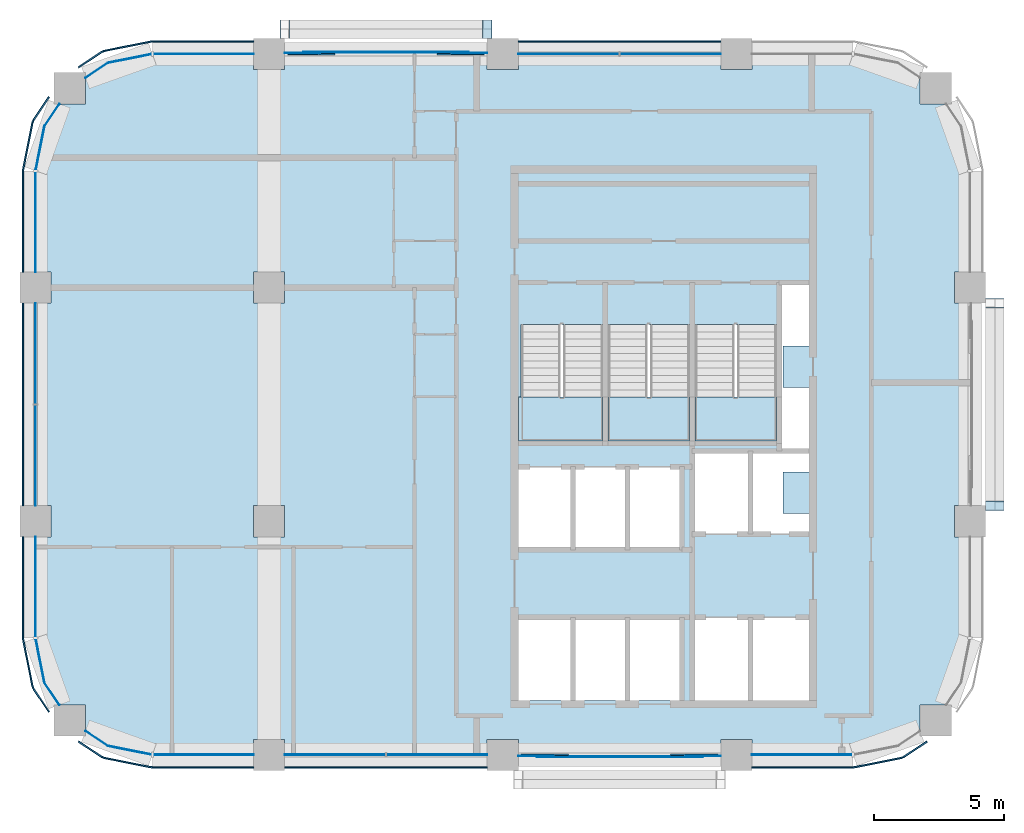
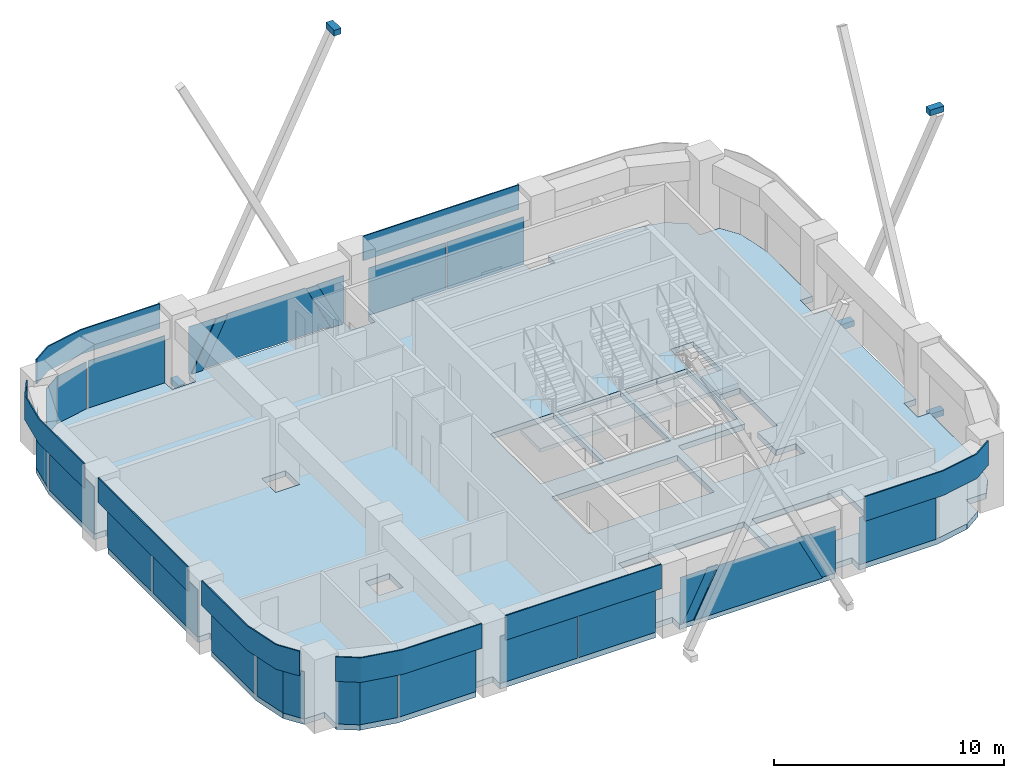
# One storey, part 5 of 10: 33 plates, 6 members, 4 slabs, 13 elements without a shape of their own.
"""IFC4 building model written with IfcOpenShell, lengths in metres."""

from ifc_helpers import new_model, si_unit, direction, frame, origin, origin_2d, place, context, subcontext, project, spatial, polyline, rectangle, outline, extrude, material, layer, layer_set, type_object, element, aggregate, save


model = new_model("IFC4")

# Units and contexts
model_context = context("Model", 3, precision=1e-05, world=origin(), true_north=direction((0.0, 1.0)))
body_context = subcontext(model_context, "Body", "Model", "MODEL_VIEW")
ifc_project = project(units=[si_unit("LENGTHUNIT", "METRE"), si_unit("AREAUNIT", "SQUARE_METRE"), si_unit("VOLUMEUNIT", "CUBIC_METRE"), si_unit("PLANEANGLEUNIT", "RADIAN"), si_unit("MASSUNIT", "GRAM", prefix="KILO")], contexts=[model_context])

# Site, building, storey
site_placement = place(None, origin())
site = spatial("IfcSite", under=ifc_project, at=site_placement, CompositionType="ELEMENT")
building_placement = place(site_placement, origin())
building = spatial("IfcBuilding", under=site, at=building_placement, Name="Tessera Arch", CompositionType="ELEMENT")
storey_placement = place(building_placement, frame((0.0, 0.0, 301.199951171875)))
storey = spatial("IfcBuildingStorey", under=building, at=storey_placement, Name="L72", CompositionType="ELEMENT", Elevation=301.199951171875)

# Members
ifc_material_1 = material(Name="Steel A572 Gr50", Category="steel")
ifc_layer_1 = layer(ifc_material_1, 0.050048828125)
ifc_layer_set_1 = layer_set([ifc_layer_1], Name="Node block Steel A572 Gr50")
member_type = type_object("IfcMemberType", Name="Node block Steel A572 Gr50", PredefinedType="PLATE", material=ifc_layer_set_1)
for number, where, z_axis, x_axis, name in (
    (1, (54.95556640625, 44.39990234375, -1.20166015625), (0.0, 0.0, 1.0), (0.0, 1.0, 0.0), "Node block seat E54.27-0 1 L72"),
    (2, (54.95556640625, 36.60009765625, -1.20166015625), (0.0, 0.0, 1.0), (0.0, 1.0, 0.0), "Node block seat E54.27-0 2 L72"),
    (3, (54.95556640625, 36.60009765625, 14.90185546875), (0.0, 0.0, 1.0), (0.0, 1.0, 0.0), "Node block head E54.27-0 B L72"),
    (4, (27.60009765625, 54.95556640625, -1.20166015625), (0.0, 0.0, 1.0), (-1.0, 0.0, 0.0), "Node block seat N54.18-2 1 L72"),
    (5, (35.39990234375, 54.95556640625, -1.20166015625), (0.0, 0.0, 1.0), (-1.0, 0.0, 0.0), "Node block seat N54.18-2 2 L72"),
    (6, (35.39990234375, 54.95556640625, 14.90185546875), (0.0, 0.0, 1.0), (-1.0, 0.0, 0.0), "Node block head N54.18-2 B L72"),
):
    element("IfcMember", number, at=place(storey_placement, frame(where, z_axis=z_axis, x_axis=x_axis)), inside=storey, type_object=member_type, Name=name, PredefinedType="PLATE", context=body_context, shape_type="SweptSolid", body=[
        extrude(rectangle(XDim=0.355712890625, YDim=0.711181640625, at=origin_2d()), origin(), (0.0, 0.0, 1.0), 0.300048828125),
    ])

# Curtain wall, plates
ifc_material_2 = material(Name="CW1 curtain wall")
curtain_wall_type_1 = type_object("IfcCurtainWallType", Name="CW1 curtain wall", PredefinedType="NOTDEFINED", material=ifc_material_2)
curtain_wall_1_placement = place(storey_placement, origin())
curtain_wall_1 = element("IfcCurtainWall", 7, at=curtain_wall_1_placement, inside=storey, type_object=curtain_wall_type_1, Name="CW1 curtain wall N54.18/1 L72", PredefinedType="NOTDEFINED")
ifc_material_3 = material(Name="Clear low-e glass", Category="glass")
ifc_material_4 = material(Name="Clear low-e glass", Category="glass")
ifc_layer_2 = layer(ifc_material_4, 0.028076171875)
ifc_layer_set_2 = layer_set([ifc_layer_2], Name="CW1 glass panel")
plate_type_1 = type_object("IfcPlateType", Name="CW1 glass panel", PredefinedType="CURTAIN_PANEL", material=ifc_layer_set_2)
plate_1_placement = place(storey_placement, frame((42.465087890625, 54.0, 0.0), z_axis=(0.0, 0.0, 1.0), x_axis=(-1.0, 0.0, 0.0)))
plate_1 = element("IfcPlate", 8, at=plate_1_placement, type_object=plate_type_1, material=ifc_material_3, Name="CW1 glass panel N54.18/1 1.1.1", PredefinedType="CURTAIN_PANEL", context=body_context, shape_type="SweptSolid", body=[
    extrude(rectangle(XDim=3.8701171875, YDim=0.028076171875, at=origin_2d()), origin(), (0.0, 0.0, 1.0), 2.5),
])
plate_2_placement = place(storey_placement, frame((38.534912109375, 54.0, 0.0), z_axis=(0.0, 0.0, 1.0), x_axis=(-1.0, 0.0, 0.0)))
plate_2 = element("IfcPlate", 9, at=plate_2_placement, type_object=plate_type_1, material=ifc_material_3, Name="CW1 glass panel N54.18/1 1.2.1", PredefinedType="CURTAIN_PANEL", context=body_context, shape_type="SweptSolid", body=[
    extrude(rectangle(XDim=3.8701171875, YDim=0.028076171875, at=origin_2d()), origin(), (0.0, 0.0, 1.0), 2.5),
])

curtain_wall_2_placement = place(storey_placement, origin())
curtain_wall_2 = element("IfcCurtainWall", 10, at=curtain_wall_2_placement, inside=storey, type_object=curtain_wall_type_1, Name="CW1 curtain wall W18.27/1 L72", PredefinedType="NOTDEFINED")
plate_3_placement = place(storey_placement, frame((18.0, 42.465087890625, 0.0), z_axis=(0.0, 0.0, 1.0), x_axis=(0.0, -1.0, 0.0)))
plate_3 = element("IfcPlate", 11, at=plate_3_placement, type_object=plate_type_1, material=ifc_material_3, Name="CW1 glass panel W18.27/1 1.1.1", PredefinedType="CURTAIN_PANEL", context=body_context, shape_type="SweptSolid", body=[
    extrude(rectangle(XDim=3.8701171875, YDim=0.028076171875, at=origin_2d()), origin(), (0.0, 0.0, 1.0), 2.5),
])
plate_4_placement = place(storey_placement, frame((18.0, 38.534912109375, 0.0), z_axis=(0.0, 0.0, 1.0), x_axis=(0.0, -1.0, 0.0)))
plate_4 = element("IfcPlate", 12, at=plate_4_placement, type_object=plate_type_1, material=ifc_material_3, Name="CW1 glass panel W18.27/1 1.2.1", PredefinedType="CURTAIN_PANEL", context=body_context, shape_type="SweptSolid", body=[
    extrude(rectangle(XDim=3.8701171875, YDim=0.028076171875, at=origin_2d()), origin(), (0.0, 0.0, 1.0), 2.5),
])

curtain_wall_3_placement = place(storey_placement, origin())
curtain_wall_3 = element("IfcCurtainWall", 13, at=curtain_wall_3_placement, inside=storey, type_object=curtain_wall_type_1, Name="CW1 curtain wall S27.18/1 L72", PredefinedType="NOTDEFINED")
plate_5_placement = place(storey_placement, frame((29.534912109375, 27.0, 0.0), z_axis=(0.0, 0.0, 1.0), x_axis=(1.0, 0.0, 0.0)))
plate_5 = element("IfcPlate", 14, at=plate_5_placement, type_object=plate_type_1, material=ifc_material_3, Name="CW1 glass panel S27.18/1 1.1.1", PredefinedType="CURTAIN_PANEL", context=body_context, shape_type="SweptSolid", body=[
    extrude(rectangle(XDim=3.8701171875, YDim=0.028076171875, at=origin_2d()), origin(), (0.0, 0.0, 1.0), 2.5),
])
plate_6_placement = place(storey_placement, frame((33.465087890625, 27.0, 0.0), z_axis=(0.0, 0.0, 1.0), x_axis=(1.0, 0.0, 0.0)))
plate_6 = element("IfcPlate", 15, at=plate_6_placement, type_object=plate_type_1, material=ifc_material_3, Name="CW1 glass panel S27.18/1 1.2.1", PredefinedType="CURTAIN_PANEL", context=body_context, shape_type="SweptSolid", body=[
    extrude(rectangle(XDim=3.8701171875, YDim=0.028076171875, at=origin_2d()), origin(), (0.0, 0.0, 1.0), 2.5),
])

# Plate
ifc_material_5 = material(Name="Pale anodised aluminium panel", Category="aluminium")
ifc_layer_3 = layer(ifc_material_5, 0.06005859375)
ifc_layer_set_3 = layer_set([ifc_layer_3], Name="CW1 spandrel panel")
plate_type_2 = type_object("IfcPlateType", Name="CW1 spandrel panel", PredefinedType="CURTAIN_PANEL", material=ifc_layer_set_3)
plate_7_placement = place(storey_placement, frame((40.5, 54.47998046875, 2.60009765625), z_axis=(0.0, 0.0, 1.0), x_axis=(-1.0, 0.0, 0.0)))
plate_7 = element("IfcPlate", 16, at=plate_7_placement, type_object=plate_type_2, Name="CW1 spandrel panel N54.18/1", PredefinedType="CURTAIN_PANEL", context=body_context, shape_type="SweptSolid", body=[
    extrude(rectangle(XDim=7.800048828125, YDim=0.06005859375, at=origin_2d()), origin(), (0.0, 0.0, 1.0), 1.300048828125),
])

aggregate(curtain_wall_1, [plate_1, plate_2, plate_7])

plate_8_placement = place(storey_placement, frame((17.52001953125, 40.5, 2.60009765625), z_axis=(0.0, 0.0, 1.0), x_axis=(0.0, -1.0, 0.0)))
plate_8 = element("IfcPlate", 17, at=plate_8_placement, type_object=plate_type_2, Name="CW1 spandrel panel W18.27/1", PredefinedType="CURTAIN_PANEL", context=body_context, shape_type="SweptSolid", body=[
    extrude(rectangle(XDim=7.800048828125, YDim=0.06005859375, at=origin_2d()), origin(), (0.0, 0.0, 1.0), 1.300048828125),
])

aggregate(curtain_wall_2, [plate_3, plate_4, plate_8])

plate_9_placement = place(storey_placement, frame((31.5, 26.52001953125, 2.60009765625), z_axis=(0.0, 0.0, 1.0), x_axis=(1.0, 0.0, 0.0)))
plate_9 = element("IfcPlate", 18, at=plate_9_placement, type_object=plate_type_2, Name="CW1 spandrel panel S27.18/1", PredefinedType="CURTAIN_PANEL", context=body_context, shape_type="SweptSolid", body=[
    extrude(rectangle(XDim=7.800048828125, YDim=0.06005859375, at=origin_2d()), origin(), (0.0, 0.0, 1.0), 1.300048828125),
])

aggregate(curtain_wall_3, [plate_5, plate_6, plate_9])

# Curtain wall, plates
ifc_material_6 = material(Name="CW2 curtain wall")
curtain_wall_type_2 = type_object("IfcCurtainWallType", Name="CW2 curtain wall", PredefinedType="NOTDEFINED", material=ifc_material_6)
curtain_wall_4_placement = place(storey_placement, origin())
curtain_wall_4 = element("IfcCurtainWall", 19, at=curtain_wall_4_placement, inside=storey, type_object=curtain_wall_type_2, Name="CW2 curtain wall N54.18/3 L72", PredefinedType="NOTDEFINED")
ifc_material_7 = material(Name="Clear low-e glass", Category="glass")
ifc_layer_4 = layer(ifc_material_7, 0.028076171875)
ifc_layer_set_4 = layer_set([ifc_layer_4], Name="CW2 glass panel")
plate_type_3 = type_object("IfcPlateType", Name="CW2 glass panel", PredefinedType="CURTAIN_PANEL", material=ifc_layer_set_4)
plate_10_placement = place(storey_placement, frame((24.469970703125, 54.0, 0.0), z_axis=(0.0, 0.0, 1.0), x_axis=(-1.0, 0.0, 0.0)))
plate_10 = element("IfcPlate", 20, at=plate_10_placement, type_object=plate_type_3, material=ifc_material_3, Name="CW2 glass panel N54.18/3 1.1", PredefinedType="CURTAIN_PANEL", context=body_context, shape_type="SweptSolid", body=[
    extrude(rectangle(XDim=3.860107421875, YDim=0.028076171875, at=origin_2d()), origin(), (0.0, 0.0, 1.0), 2.5),
])
plate_11_placement = place(storey_placement, origin())
plate_11 = element("IfcPlate", 21, at=plate_11_placement, type_object=plate_type_3, material=ifc_material_3, Name="CW2 curved glass panel N54.18/3 2.1", PredefinedType="CURTAIN_PANEL", context=body_context, shape_type="SweptSolid", body=[
    extrude(outline(polyline([(20.783447265625, 53.644287109375), (22.46337890625, 53.978515625), (22.4580078125, 54.005859375), (20.7724609375, 53.670654296875), (19.91015625, 53.094482421875), (19.92578125, 53.0712890625), (20.783447265625, 53.644287109375)])), origin(), (0.0, 0.0, 1.0), 2.5),
])

curtain_wall_5_placement = place(storey_placement, origin())
curtain_wall_5 = element("IfcCurtainWall", 22, at=curtain_wall_5_placement, inside=storey, type_object=curtain_wall_type_2, Name="CW2 curtain wall W18.27/0 L72", PredefinedType="NOTDEFINED")
plate_12_placement = place(storey_placement, frame((18.0, 47.530029296875, 0.0), z_axis=(0.0, 0.0, 1.0), x_axis=(0.0, -1.0, 0.0)))
plate_12 = element("IfcPlate", 23, at=plate_12_placement, type_object=plate_type_3, material=ifc_material_3, Name="CW2 glass panel W18.27/0 1.1", PredefinedType="CURTAIN_PANEL", context=body_context, shape_type="SweptSolid", body=[
    extrude(rectangle(XDim=3.860107421875, YDim=0.028076171875, at=origin_2d()), origin(), (0.0, 0.0, 1.0), 2.5),
])
plate_13_placement = place(storey_placement, origin())
plate_13 = element("IfcPlate", 24, at=plate_13_placement, type_object=plate_type_3, material=ifc_material_3, Name="CW2 curved glass panel W18.27/0 2.1", PredefinedType="CURTAIN_PANEL", context=body_context, shape_type="SweptSolid", body=[
    extrude(outline(polyline([(18.355712890625, 51.216552734375), (18.9287109375, 52.07421875), (18.905517578125, 52.08984375), (18.329345703125, 51.2275390625), (17.994140625, 49.5419921875), (18.021484375, 49.53662109375), (18.355712890625, 51.216552734375)])), origin(), (0.0, 0.0, 1.0), 2.5),
])

curtain_wall_6_placement = place(storey_placement, origin())
curtain_wall_6 = element("IfcCurtainWall", 25, at=curtain_wall_6_placement, inside=storey, type_object=curtain_wall_type_2, Name="CW2 curtain wall W18.27/2 L72", PredefinedType="NOTDEFINED")
plate_14_placement = place(storey_placement, frame((18.0, 33.469970703125, 0.0), z_axis=(0.0, 0.0, 1.0), x_axis=(0.0, -1.0, 0.0)))
plate_14 = element("IfcPlate", 26, at=plate_14_placement, type_object=plate_type_3, material=ifc_material_3, Name="CW2 glass panel W18.27/2 1.1", PredefinedType="CURTAIN_PANEL", context=body_context, shape_type="SweptSolid", body=[
    extrude(rectangle(XDim=3.860107421875, YDim=0.028076171875, at=origin_2d()), origin(), (0.0, 0.0, 1.0), 2.5),
])
plate_15_placement = place(storey_placement, origin())
plate_15 = element("IfcPlate", 27, at=plate_15_placement, type_object=plate_type_3, material=ifc_material_3, Name="CW2 curved glass panel W18.27/2 2.1", PredefinedType="CURTAIN_PANEL", context=body_context, shape_type="SweptSolid", body=[
    extrude(outline(polyline([(18.355712890625, 29.783447265625), (18.021484375, 31.46337890625), (17.994140625, 31.4580078125), (18.329345703125, 29.7724609375), (18.905517578125, 28.91015625), (18.9287109375, 28.92578125), (18.355712890625, 29.783447265625)])), origin(), (0.0, 0.0, 1.0), 2.5),
])

curtain_wall_7_placement = place(storey_placement, origin())
curtain_wall_7 = element("IfcCurtainWall", 28, at=curtain_wall_7_placement, inside=storey, type_object=curtain_wall_type_2, Name="CW2 curtain wall S27.18/0 L72", PredefinedType="NOTDEFINED")
plate_16_placement = place(storey_placement, frame((24.469970703125, 27.0, 0.0), z_axis=(0.0, 0.0, 1.0), x_axis=(1.0, 0.0, 0.0)))
plate_16 = element("IfcPlate", 29, at=plate_16_placement, type_object=plate_type_3, material=ifc_material_3, Name="CW2 glass panel S27.18/0 1.1", PredefinedType="CURTAIN_PANEL", context=body_context, shape_type="SweptSolid", body=[
    extrude(rectangle(XDim=3.860107421875, YDim=0.028076171875, at=origin_2d()), origin(), (0.0, 0.0, 1.0), 2.5),
])
plate_17_placement = place(storey_placement, origin())
plate_17 = element("IfcPlate", 30, at=plate_17_placement, type_object=plate_type_3, material=ifc_material_3, Name="CW2 curved glass panel S27.18/0 2.1", PredefinedType="CURTAIN_PANEL", context=body_context, shape_type="SweptSolid", body=[
    extrude(outline(polyline([(20.783447265625, 27.355712890625), (19.92578125, 27.9287109375), (19.91015625, 27.905517578125), (20.7724609375, 27.329345703125), (22.4580078125, 26.994140625), (22.46337890625, 27.021484375), (20.783447265625, 27.355712890625)])), origin(), (0.0, 0.0, 1.0), 2.5),
])

# Curtain wall, plate
curtain_wall_8_placement = place(storey_placement, origin())
curtain_wall_8 = element("IfcCurtainWall", 31, at=curtain_wall_8_placement, inside=storey, type_object=curtain_wall_type_2, Name="CW2 curtain wall S27.18/3 L72", PredefinedType="NOTDEFINED")
plate_18_placement = place(storey_placement, frame((47.530029296875, 27.0, 0.0), z_axis=(0.0, 0.0, 1.0), x_axis=(1.0, 0.0, 0.0)))
plate_18 = element("IfcPlate", 32, at=plate_18_placement, type_object=plate_type_3, material=ifc_material_3, Name="CW2 glass panel S27.18/3 1.1", PredefinedType="CURTAIN_PANEL", context=body_context, shape_type="SweptSolid", body=[
    extrude(rectangle(XDim=3.860107421875, YDim=0.028076171875, at=origin_2d()), origin(), (0.0, 0.0, 1.0), 2.5),
])

# Plate
ifc_material_8 = material(Name="Pale anodised aluminium panel", Category="aluminium")
ifc_layer_5 = layer(ifc_material_8, 0.06005859375)
ifc_layer_set_5 = layer_set([ifc_layer_5], Name="CW2 spandrel panel")
plate_type_4 = type_object("IfcPlateType", Name="CW2 spandrel panel", PredefinedType="CURTAIN_PANEL", material=ifc_layer_set_5)
plate_19_placement = place(storey_placement, frame((0.0, 0.0, 2.60009765625)))
plate_19 = element("IfcPlate", 33, at=plate_19_placement, type_object=plate_type_4, Name="CW2 spandrel panel N54.18/3", PredefinedType="CURTAIN_PANEL", context=body_context, shape_type="SweptSolid", body=[
    extrude(outline(polyline([(22.500732421875, 54.449951171875), (26.39990234375, 54.449951171875), (26.39990234375, 54.510009765625), (22.499267578125, 54.510009765625), (22.449951171875, 54.507568359375), (22.401123046875, 54.500244140625), (20.677734375, 54.157470703125), (20.6298828125, 54.1455078125), (20.582763671875, 54.128662109375), (20.537353515625, 54.107421875), (20.4951171875, 54.08203125), (19.634765625, 53.5068359375), (19.66796875, 53.45703125), (20.52734375, 54.03125), (20.565673828125, 54.054443359375), (20.605712890625, 54.0732421875), (20.647216796875, 54.088134765625), (20.69091796875, 54.09912109375), (22.411376953125, 54.441162109375), (22.455810546875, 54.44775390625), (22.500732421875, 54.449951171875)])), origin(), (0.0, 0.0, 1.0), 1.300048828125),
])

aggregate(curtain_wall_4, [plate_10, plate_11, plate_19])

plate_20_placement = place(storey_placement, frame((0.0, 0.0, 2.60009765625)))
plate_20 = element("IfcPlate", 34, at=plate_20_placement, type_object=plate_type_4, Name="CW2 spandrel panel W18.27/0", PredefinedType="CURTAIN_PANEL", context=body_context, shape_type="SweptSolid", body=[
    extrude(outline(polyline([(17.96875, 51.47265625), (18.54296875, 52.33203125), (18.4931640625, 52.365234375), (17.91796875, 51.5048828125), (17.892578125, 51.462646484375), (17.871337890625, 51.417236328125), (17.8544921875, 51.3701171875), (17.842529296875, 51.322265625), (17.499755859375, 49.598876953125), (17.492431640625, 49.550048828125), (17.489990234375, 49.500732421875), (17.489990234375, 45.60009765625), (17.550048828125, 45.60009765625), (17.550048828125, 49.499267578125), (17.55224609375, 49.544189453125), (17.558837890625, 49.588623046875), (17.90087890625, 51.30908203125), (17.911865234375, 51.352783203125), (17.9267578125, 51.394287109375), (17.945556640625, 51.434326171875), (17.96875, 51.47265625)])), origin(), (0.0, 0.0, 1.0), 1.300048828125),
])

aggregate(curtain_wall_5, [plate_12, plate_13, plate_20])

plate_21_placement = place(storey_placement, frame((0.0, 0.0, 2.60009765625)))
plate_21 = element("IfcPlate", 35, at=plate_21_placement, type_object=plate_type_4, Name="CW2 spandrel panel W18.27/2", PredefinedType="CURTAIN_PANEL", context=body_context, shape_type="SweptSolid", body=[
    extrude(outline(polyline([(17.550048828125, 31.500732421875), (17.550048828125, 35.39990234375), (17.489990234375, 35.39990234375), (17.489990234375, 31.499267578125), (17.492431640625, 31.449951171875), (17.499755859375, 31.401123046875), (17.842529296875, 29.677734375), (17.8544921875, 29.6298828125), (17.871337890625, 29.582763671875), (17.892578125, 29.537353515625), (17.91796875, 29.4951171875), (18.4931640625, 28.634765625), (18.54296875, 28.66796875), (17.96875, 29.52734375), (17.945556640625, 29.565673828125), (17.9267578125, 29.605712890625), (17.911865234375, 29.647216796875), (17.90087890625, 29.69091796875), (17.558837890625, 31.411376953125), (17.55224609375, 31.455810546875), (17.550048828125, 31.500732421875)])), origin(), (0.0, 0.0, 1.0), 1.300048828125),
])

aggregate(curtain_wall_6, [plate_14, plate_15, plate_21])

plate_22_placement = place(storey_placement, frame((0.0, 0.0, 2.60009765625)))
plate_22 = element("IfcPlate", 36, at=plate_22_placement, type_object=plate_type_4, Name="CW2 spandrel panel S27.18/0", PredefinedType="CURTAIN_PANEL", context=body_context, shape_type="SweptSolid", body=[
    extrude(outline(polyline([(20.52734375, 26.96875), (19.66796875, 27.54296875), (19.634765625, 27.4931640625), (20.4951171875, 26.91796875), (20.537353515625, 26.892578125), (20.582763671875, 26.871337890625), (20.6298828125, 26.8544921875), (20.677734375, 26.842529296875), (22.401123046875, 26.499755859375), (22.449951171875, 26.492431640625), (22.499267578125, 26.489990234375), (26.39990234375, 26.489990234375), (26.39990234375, 26.550048828125), (22.500732421875, 26.550048828125), (22.455810546875, 26.55224609375), (22.411376953125, 26.558837890625), (20.69091796875, 26.90087890625), (20.647216796875, 26.911865234375), (20.605712890625, 26.9267578125), (20.565673828125, 26.945556640625), (20.52734375, 26.96875)])), origin(), (0.0, 0.0, 1.0), 1.300048828125),
])

aggregate(curtain_wall_7, [plate_16, plate_17, plate_22])

plate_23_placement = place(storey_placement, frame((0.0, 0.0, 2.60009765625)))
plate_23 = element("IfcPlate", 37, at=plate_23_placement, type_object=plate_type_4, Name="CW2 spandrel panel S27.18/3", PredefinedType="CURTAIN_PANEL", context=body_context, shape_type="SweptSolid", body=[
    extrude(outline(polyline([(49.499267578125, 26.550048828125), (45.60009765625, 26.550048828125), (45.60009765625, 26.489990234375), (49.500732421875, 26.489990234375), (49.550048828125, 26.492431640625), (49.598876953125, 26.499755859375), (51.322265625, 26.842529296875), (51.3701171875, 26.8544921875), (51.417236328125, 26.871337890625), (51.462646484375, 26.892578125), (51.5048828125, 26.91796875), (52.365234375, 27.4931640625), (52.33203125, 27.54296875), (51.47265625, 26.96875), (51.434326171875, 26.945556640625), (51.394287109375, 26.9267578125), (51.352783203125, 26.911865234375), (51.30908203125, 26.90087890625), (49.588623046875, 26.558837890625), (49.544189453125, 26.55224609375), (49.499267578125, 26.550048828125)])), origin(), (0.0, 0.0, 1.0), 1.300048828125),
])

aggregate(curtain_wall_8, [plate_18, plate_23])

# Curtain wall, plates
ifc_material_9 = material(Name="CW3 curtain wall")
curtain_wall_type_3 = type_object("IfcCurtainWallType", Name="CW3 curtain wall", PredefinedType="NOTDEFINED", material=ifc_material_9)
curtain_wall_9_placement = place(storey_placement, origin())
curtain_wall_9 = element("IfcCurtainWall", 38, at=curtain_wall_9_placement, inside=storey, type_object=curtain_wall_type_3, Name="CW3 curtain wall N54.18/2 L72", PredefinedType="NOTDEFINED")
ifc_material_10 = material(Name="Pale anodised aluminium panel", Category="aluminium")
ifc_layer_6 = layer(ifc_material_10, 0.06005859375)
ifc_layer_set_6 = layer_set([ifc_layer_6], Name="CW3 diagonal panel")
plate_type_5 = type_object("IfcPlateType", Name="CW3 diagonal panel", PredefinedType="CURTAIN_PANEL", material=ifc_layer_set_6)
plate_24_placement = place(storey_placement, frame((28.9677734375, 54.030029296875, 2.5), z_axis=(0.0, 1.0, 0.0), x_axis=(1.0, 0.0, 0.0)))
plate_24 = element("IfcPlate", 39, at=plate_24_placement, type_object=plate_type_5, Name="CW3 diagonal panel N54.18/2 1", PredefinedType="CURTAIN_PANEL", context=body_context, shape_type="SweptSolid", body=[
    extrude(outline(polyline([(0.0, 0.0), (0.564453125, 0.0), (-0.685546875, 2.5), (-1.25, 2.5), (0.0, 0.0)])), origin(), (0.0, 0.0, -1.0), 0.06005859375),
])
plate_25_placement = place(storey_placement, frame((33.4677734375, 54.030029296875, 2.5), z_axis=(0.0, 1.0, 0.0), x_axis=(1.0, 0.0, 0.0)))
plate_25 = element("IfcPlate", 40, at=plate_25_placement, type_object=plate_type_5, Name="CW3 diagonal panel N54.18/2 2", PredefinedType="CURTAIN_PANEL", context=body_context, shape_type="SweptSolid", body=[
    extrude(outline(polyline([(0.0, 0.0), (0.564453125, 0.0), (1.814453125, 2.5), (1.25, 2.5), (0.0, 0.0)])), origin(), (0.0, 0.0, -1.0), 0.06005859375),
])

curtain_wall_10_placement = place(storey_placement, origin())
curtain_wall_10 = element("IfcCurtainWall", 41, at=curtain_wall_10_placement, inside=storey, type_object=curtain_wall_type_3, Name="CW3 curtain wall S27.18/2 L72", PredefinedType="NOTDEFINED")
plate_26_placement = place(storey_placement, frame((43.0322265625, 26.969970703125, 2.5), z_axis=(0.0, -1.0, 0.0), x_axis=(-1.0, 0.0, 0.0)))
plate_26 = element("IfcPlate", 42, at=plate_26_placement, type_object=plate_type_5, Name="CW3 diagonal panel S27.18/2 1", PredefinedType="CURTAIN_PANEL", context=body_context, shape_type="SweptSolid", body=[
    extrude(outline(polyline([(0.0, 0.0), (0.564453125, 0.0), (-0.685546875, 2.5), (-1.25, 2.5), (0.0, 0.0)])), origin(), (0.0, 0.0, -1.0), 0.06005859375),
])
plate_27_placement = place(storey_placement, frame((38.5322265625, 26.969970703125, 2.5), z_axis=(0.0, -1.0, 0.0), x_axis=(-1.0, 0.0, 0.0)))
plate_27 = element("IfcPlate", 43, at=plate_27_placement, type_object=plate_type_5, Name="CW3 diagonal panel S27.18/2 2", PredefinedType="CURTAIN_PANEL", context=body_context, shape_type="SweptSolid", body=[
    extrude(outline(polyline([(0.0, 0.0), (0.564453125, 0.0), (1.814453125, 2.5), (1.25, 2.5), (0.0, 0.0)])), origin(), (0.0, 0.0, -1.0), 0.06005859375),
])

# Plate
ifc_material_11 = material(Name="Clear low-e glass", Category="glass")
ifc_layer_7 = layer(ifc_material_11, 0.028076171875)
ifc_layer_set_7 = layer_set([ifc_layer_7], Name="CW3 glass panel")
plate_type_6 = type_object("IfcPlateType", Name="CW3 glass panel", PredefinedType="CURTAIN_PANEL", material=ifc_layer_set_7)
plate_28_placement = place(storey_placement, frame((35.39990234375, 54.05810546875, 0.0), z_axis=(0.0, 1.0, 0.0), x_axis=(-1.0, 0.0, 0.0)))
plate_28 = element("IfcPlate", 44, at=plate_28_placement, type_object=plate_type_6, material=ifc_material_3, Name="CW3 triangulated glass panel N54.18/2 1", PredefinedType="CURTAIN_PANEL", context=body_context, shape_type="SweptSolid", body=[
    extrude(outline(polyline([(0.0, 0.0), (0.11767578125, 0.0), (1.36767578125, 2.5), (0.0, 2.5), (0.0, 0.0)])), origin(), (0.0, 0.0, -1.0), 0.028076171875),
])

plate_29_placement = place(storey_placement, frame((29.5322265625, 54.0859375, 2.5), z_axis=(0.0, 1.0, 0.0), x_axis=(1.0, 0.0, 0.0)))
plate_29 = element("IfcPlate", 45, at=plate_29_placement, type_object=plate_type_6, material=ifc_material_3, Name="CW3 triangulated glass panel N54.18/2 2", PredefinedType="CURTAIN_PANEL", context=body_context, shape_type="SweptSolid", body=[
    extrude(outline(polyline([(0.0, 0.0), (3.935546875, 0.0), (5.185546875, 2.5), (-1.25, 2.5), (0.0, 0.0)])), origin(), (0.0, 0.0, -1.0), 0.028076171875),
])

plate_30_placement = place(storey_placement, frame((27.60009765625, 54.05810546875, 2.5), z_axis=(0.0, 1.0, 0.0), x_axis=(1.0, 0.0, 0.0)))
plate_30 = element("IfcPlate", 46, at=plate_30_placement, type_object=plate_type_6, material=ifc_material_3, Name="CW3 triangulated glass panel N54.18/2 3", PredefinedType="CURTAIN_PANEL", context=body_context, shape_type="SweptSolid", body=[
    extrude(outline(polyline([(0.0, 0.0), (1.36767578125, 0.0), (0.11767578125, 2.5), (0.0, 2.5), (0.0, 0.0)])), origin(), (0.0, 0.0, -1.0), 0.028076171875),
])

aggregate(curtain_wall_9, [plate_28, plate_29, plate_30, plate_24, plate_25])

plate_31_placement = place(storey_placement, frame((36.60009765625, 26.94189453125, 0.0), z_axis=(0.0, -1.0, 0.0), x_axis=(1.0, 0.0, 0.0)))
plate_31 = element("IfcPlate", 47, at=plate_31_placement, type_object=plate_type_6, material=ifc_material_3, Name="CW3 triangulated glass panel S27.18/2 1", PredefinedType="CURTAIN_PANEL", context=body_context, shape_type="SweptSolid", body=[
    extrude(outline(polyline([(0.0, 0.0), (0.11767578125, 0.0), (1.36767578125, 2.5), (0.0, 2.5), (0.0, 0.0)])), origin(), (0.0, 0.0, -1.0), 0.028076171875),
])

plate_32_placement = place(storey_placement, frame((42.4677734375, 26.9140625, 2.5), z_axis=(0.0, -1.0, 0.0), x_axis=(-1.0, 0.0, 0.0)))
plate_32 = element("IfcPlate", 48, at=plate_32_placement, type_object=plate_type_6, material=ifc_material_3, Name="CW3 triangulated glass panel S27.18/2 2", PredefinedType="CURTAIN_PANEL", context=body_context, shape_type="SweptSolid", body=[
    extrude(outline(polyline([(0.0, 0.0), (3.935546875, 0.0), (5.185546875, 2.5), (-1.25, 2.5), (0.0, 0.0)])), origin(), (0.0, 0.0, -1.0), 0.028076171875),
])

plate_33_placement = place(storey_placement, frame((44.39990234375, 26.94189453125, 2.5), z_axis=(0.0, -1.0, 0.0), x_axis=(-1.0, 0.0, 0.0)))
plate_33 = element("IfcPlate", 49, at=plate_33_placement, type_object=plate_type_6, material=ifc_material_3, Name="CW3 triangulated glass panel S27.18/2 3", PredefinedType="CURTAIN_PANEL", context=body_context, shape_type="SweptSolid", body=[
    extrude(outline(polyline([(0.0, 0.0), (1.36767578125, 0.0), (0.11767578125, 2.5), (0.0, 2.5), (0.0, 0.0)])), origin(), (0.0, 0.0, -1.0), 0.028076171875),
])

aggregate(curtain_wall_10, [plate_31, plate_32, plate_33, plate_26, plate_27])

# Slab
ifc_material_12 = material(Name="Concrete C40/50", Category="concrete")
ifc_layer_8 = layer(ifc_material_12, 0.300048828125)
ifc_layer_set_8 = layer_set([ifc_layer_8], Name="Floor slab 300 Concrete C40/50")
slab_type_1 = type_object("IfcSlabType", Name="Floor slab 300 Concrete C40/50", PredefinedType="FLOOR", material=ifc_layer_set_8)
slab_1_placement = place(storey_placement, frame((0.0, 0.0, -0.300048828125)))
element("IfcSlab", 50, at=slab_1_placement, inside=storey, type_object=slab_type_1, Name="Floor slab L72 1", PredefinedType="FLOOR", context=body_context, shape_type="SweptSolid", body=[
    extrude(outline(polyline([(54.0, 31.5), (53.657470703125, 29.77783203125), (53.0830078125, 28.91796875), (52.08203125, 28.91796875), (52.08203125, 27.9169921875), (51.22216796875, 27.342529296875), (49.5, 27.0), (45.60009765625, 27.0), (45.60009765625, 27.60009765625), (44.39990234375, 27.60009765625), (44.39990234375, 27.0), (36.60009765625, 27.0), (36.60009765625, 27.60009765625), (35.39990234375, 27.60009765625), (35.39990234375, 27.0), (27.60009765625, 27.0), (27.60009765625, 27.60009765625), (26.39990234375, 27.60009765625), (26.39990234375, 27.0), (22.5, 27.0), (20.77783203125, 27.342529296875), (19.91796875, 27.9169921875), (19.91796875, 28.91796875), (18.9169921875, 28.91796875), (18.342529296875, 29.77783203125), (18.0, 31.5), (18.0, 35.39990234375), (18.60009765625, 35.39990234375), (18.60009765625, 36.60009765625), (18.0, 36.60009765625), (18.0, 44.39990234375), (18.60009765625, 44.39990234375), (18.60009765625, 45.60009765625), (18.0, 45.60009765625), (18.0, 49.5), (18.342529296875, 51.22216796875), (18.9169921875, 52.08203125), (19.91796875, 52.08203125), (19.91796875, 53.0830078125), (20.77783203125, 53.657470703125), (22.5, 54.0), (26.39990234375, 54.0), (26.39990234375, 53.39990234375), (27.60009765625, 53.39990234375), (27.60009765625, 54.0), (35.39990234375, 54.0), (35.39990234375, 53.39990234375), (36.60009765625, 53.39990234375), (36.60009765625, 54.0), (44.39990234375, 54.0), (44.39990234375, 53.39990234375), (45.60009765625, 53.39990234375), (45.60009765625, 54.0), (49.5, 54.0), (51.22216796875, 53.657470703125), (52.08203125, 53.0830078125), (52.08203125, 52.08203125), (53.0830078125, 52.08203125), (53.657470703125, 51.22216796875), (54.0, 49.5), (54.0, 45.60009765625), (53.39990234375, 45.60009765625), (53.39990234375, 44.39990234375), (54.0, 44.39990234375), (54.0, 36.60009765625), (53.39990234375, 36.60009765625), (53.39990234375, 35.39990234375), (54.0, 35.39990234375), (54.0, 31.5)]), holes=[polyline([(40.800048828125, 29.10009765625), (42.89990234375, 29.10009765625), (42.89990234375, 32.300048828125), (40.800048828125, 32.300048828125), (38.699951171875, 32.300048828125), (36.60009765625, 32.300048828125), (36.60009765625, 29.10009765625), (38.699951171875, 29.10009765625), (40.800048828125, 29.10009765625)]), polyline([(27.60009765625, 35.39990234375), (27.60009765625, 36.60009765625), (26.39990234375, 36.60009765625), (26.39990234375, 35.39990234375), (27.60009765625, 35.39990234375)]), polyline([(40.800048828125, 34.89990234375), (42.89990234375, 34.89990234375), (42.89990234375, 38.10009765625), (40.800048828125, 38.10009765625), (38.699951171875, 38.10009765625), (36.60009765625, 38.10009765625), (36.60009765625, 34.89990234375), (38.699951171875, 34.89990234375), (40.800048828125, 34.89990234375)]), polyline([(38.219970703125, 43.580078125), (38.219970703125, 43.570068359375), (36.699951171875, 43.570068359375), (36.699951171875, 39.199951171875), (39.85009765625, 39.199951171875), (39.85009765625, 43.570068359375), (38.330078125, 43.570068359375), (38.330078125, 43.580078125), (38.219970703125, 43.580078125)]), polyline([(27.60009765625, 44.39990234375), (27.60009765625, 45.60009765625), (26.39990234375, 45.60009765625), (26.39990234375, 44.39990234375), (27.60009765625, 44.39990234375)]), polyline([(47.800048828125, 32.300048828125), (45.550048828125, 32.300048828125), (43.300048828125, 32.300048828125), (43.300048828125, 29.10009765625), (45.550048828125, 29.10009765625), (47.800048828125, 29.10009765625), (47.800048828125, 32.300048828125)]), polyline([(46.64990234375, 38.699951171875), (45.550048828125, 38.699951171875), (43.300048828125, 38.699951171875), (43.300048828125, 35.5), (45.550048828125, 35.5), (47.800048828125, 35.5), (47.800048828125, 36.300048828125), (46.800048828125, 36.300048828125), (46.800048828125, 37.89990234375), (47.800048828125, 37.89990234375), (47.800048828125, 38.699951171875), (47.800048828125, 41.14990234375), (46.800048828125, 41.14990234375), (46.800048828125, 42.75), (47.800048828125, 42.75), (47.800048828125, 45.199951171875), (46.64990234375, 45.199951171875), (46.64990234375, 38.699951171875)]), polyline([(41.570068359375, 43.580078125), (41.570068359375, 43.570068359375), (40.050048828125, 43.570068359375), (40.050048828125, 39.199951171875), (43.199951171875, 39.199951171875), (43.199951171875, 43.570068359375), (41.679931640625, 43.570068359375), (41.679931640625, 43.580078125), (41.570068359375, 43.580078125)]), polyline([(44.919921875, 43.580078125), (44.919921875, 43.570068359375), (43.39990234375, 43.570068359375), (43.39990234375, 39.199951171875), (46.550048828125, 39.199951171875), (46.550048828125, 43.570068359375), (45.030029296875, 43.570068359375), (45.030029296875, 43.580078125), (44.919921875, 43.580078125)])]), origin(), (0.0, 0.0, 1.0), 0.300048828125),
])

# Stair, slab
ifc_material_13 = material(Name="Concrete C40/50", Category="concrete")
stair_type = type_object("IfcStairType", Name="Dogleg stair 1520", PredefinedType="HALF_TURN_STAIR", material=ifc_material_13)
stair_1_placement = place(storey_placement, origin())
stair_1 = element("IfcStair", 51, at=stair_1_placement, inside=storey, type_object=stair_type, Name="L72 S1a", PredefinedType="HALF_TURN_STAIR")
ifc_material_14 = material(Name="Concrete C40/50", Category="concrete")
ifc_layer_9 = layer(ifc_material_14, 0.300048828125)
ifc_layer_set_9 = layer_set([ifc_layer_9], Name="Stair landing 300")
slab_type_2 = type_object("IfcSlabType", Name="Stair landing 300", PredefinedType="LANDING", material=ifc_layer_set_9)
slab_2_placement = place(storey_placement, frame((0.0, 0.0, 1.75)))
slab_2 = element("IfcSlab", 52, at=slab_2_placement, type_object=slab_type_2, Name="S1a landing 1", PredefinedType="LANDING", context=body_context, shape_type="SweptSolid", body=[
    extrude(outline(polyline([(36.60009765625, 40.780029296875), (36.60009765625, 39.10009765625), (39.85009765625, 39.10009765625), (39.85009765625, 40.780029296875), (36.60009765625, 40.780029296875)])), origin(), (0.0, 0.0, 1.0), 0.199951171875),
])
aggregate(stair_1, [slab_2])

stair_2_placement = place(storey_placement, origin())
stair_2 = element("IfcStair", 53, at=stair_2_placement, inside=storey, type_object=stair_type, Name="L72 S1b", PredefinedType="HALF_TURN_STAIR")
slab_3_placement = place(storey_placement, frame((0.0, 0.0, 1.75)))
slab_3 = element("IfcSlab", 54, at=slab_3_placement, type_object=slab_type_2, Name="S1b landing 1", PredefinedType="LANDING", context=body_context, shape_type="SweptSolid", body=[
    extrude(outline(polyline([(40.050048828125, 40.780029296875), (40.050048828125, 39.10009765625), (43.199951171875, 39.10009765625), (43.199951171875, 40.780029296875), (40.050048828125, 40.780029296875)])), origin(), (0.0, 0.0, 1.0), 0.199951171875),
])
aggregate(stair_2, [slab_3])

stair_3_placement = place(storey_placement, origin())
stair_3 = element("IfcStair", 55, at=stair_3_placement, inside=storey, type_object=stair_type, Name="L72 S1c", PredefinedType="HALF_TURN_STAIR")
slab_4_placement = place(storey_placement, frame((0.0, 0.0, 1.75)))
slab_4 = element("IfcSlab", 56, at=slab_4_placement, type_object=slab_type_2, Name="S1c landing 1", PredefinedType="LANDING", context=body_context, shape_type="SweptSolid", body=[
    extrude(outline(polyline([(43.39990234375, 40.780029296875), (43.39990234375, 39.10009765625), (46.550048828125, 39.10009765625), (46.550048828125, 40.780029296875), (43.39990234375, 40.780029296875)])), origin(), (0.0, 0.0, 1.0), 0.199951171875),
])
aggregate(stair_3, [slab_4])

save(model, "model.ifc")
